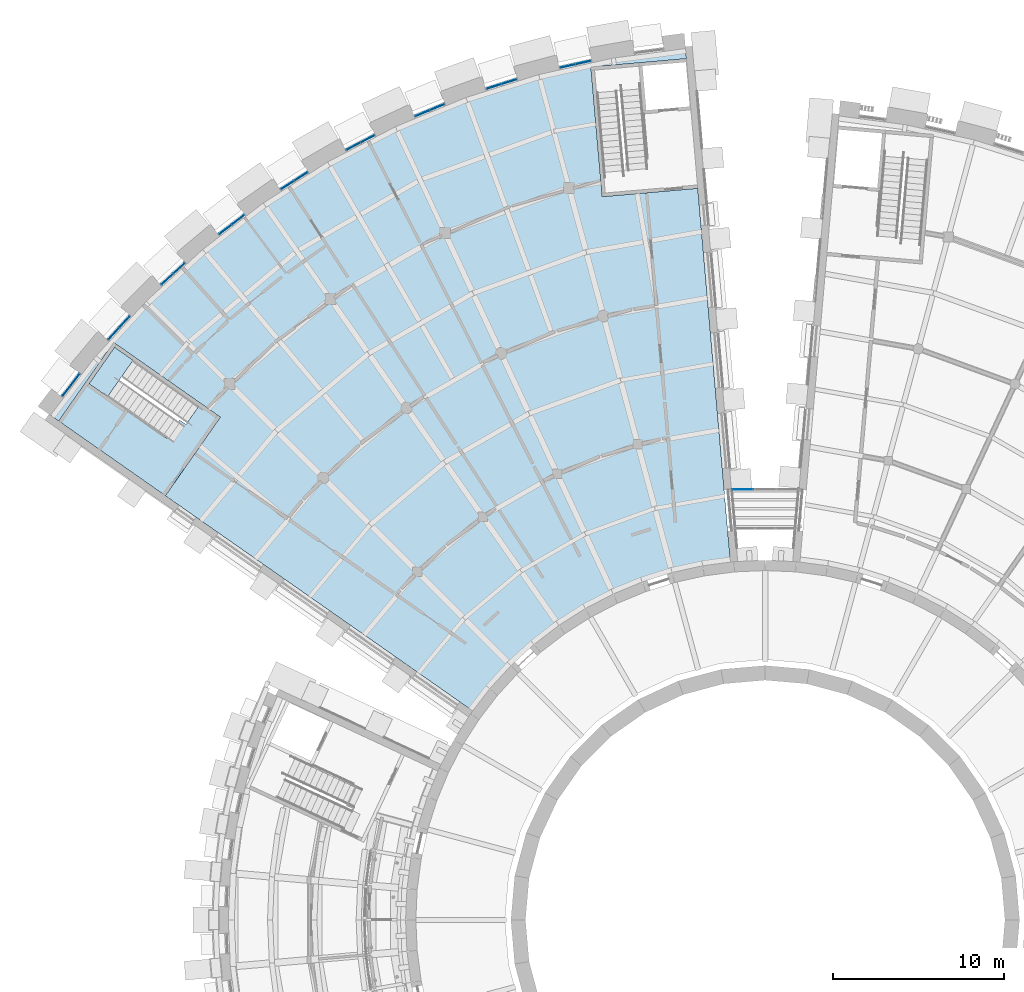
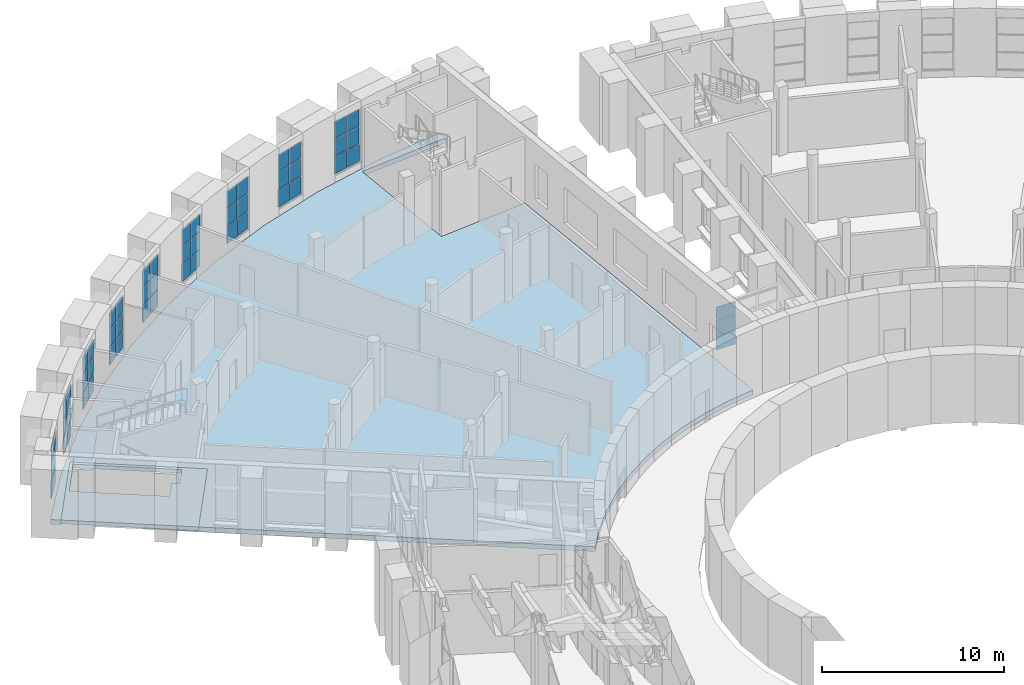
# One storey, part 34 of 66: 54 plates, 3 slabs, 11 elements without a shape of their own.
"""IFC4 building model written with IfcOpenShell, lengths in metres."""

from ifc_helpers import new_model, si_unit, direction, frame, origin, origin_2d, place, context, subcontext, project, spatial, polyline, rectangle, outline, extrude, material, layer, layer_set, type_object, element, aggregate, save


model = new_model("IFC4")

# Units and contexts
model_context = context("Model", 3, precision=1e-05, world=origin(), true_north=direction((0.0, 1.0)))
body_context = subcontext(model_context, "Body", "Model", "MODEL_VIEW")
ifc_project = project(units=[si_unit("LENGTHUNIT", "METRE"), si_unit("AREAUNIT", "SQUARE_METRE"), si_unit("VOLUMEUNIT", "CUBIC_METRE"), si_unit("PLANEANGLEUNIT", "RADIAN"), si_unit("MASSUNIT", "GRAM", prefix="KILO")], contexts=[model_context])

# Site, building, storey
site_placement = place(None, origin())
site = spatial("IfcSite", under=ifc_project, at=site_placement, CompositionType="ELEMENT")
building_placement = place(site_placement, origin())
building = spatial("IfcBuilding", under=site, at=building_placement, Name="Volute Hill Aquarium", CompositionType="ELEMENT")
storey_placement = place(building_placement, frame((0.0, 0.0, 4.60009765625)))
storey = spatial("IfcBuildingStorey", under=building, at=storey_placement, Name="L02", CompositionType="ELEMENT", Elevation=4.60009765625)

# Curtain wall, plates
ifc_material_1 = material(Name="Aluminium and glass", Category="aluminium")
ifc_layer_1 = layer(ifc_material_1, 0.1201171875)
ifc_layer_set_1 = layer_set([ifc_layer_1], Name="Bridge curtain wall")
curtain_wall_type_1 = type_object("IfcCurtainWallType", Name="Bridge curtain wall", PredefinedType="NOTDEFINED", material=ifc_layer_set_1)
curtain_wall_1_placement = place(storey_placement, origin())
curtain_wall_1 = element("IfcCurtainWall", 1, at=curtain_wall_1_placement, inside=storey, type_object=curtain_wall_type_1, Name="br/SC6/L02/cwb", PredefinedType="NOTDEFINED")
ifc_material_2 = material(Name="Laminated glass", Category="glass")
ifc_layer_2 = layer(ifc_material_2, 0.028076171875)
ifc_layer_set_2 = layer_set([ifc_layer_2], Name="Bridge glass panel 28")
plate_type_1 = type_object("IfcPlateType", Name="Bridge glass panel 28", PredefinedType="CURTAIN_PANEL", material=ifc_layer_set_2)
plate_1_placement = place(storey_placement, frame((-1.3173828125, 25.139892578125, 0.06005859375), z_axis=(0.0, 0.0, 1.0), x_axis=(-1.0, 0.0, 0.0)))
plate_1 = element("IfcPlate", 2, at=plate_1_placement, type_object=plate_type_1, Name="BR5 panel 3.1", PredefinedType="CURTAIN_PANEL", context=body_context, shape_type="SweptSolid", body=[
    extrude(rectangle(XDim=1.242431640625, YDim=0.028076171875, at=origin_2d()), origin(), (0.0, 0.0, 1.0), 0.909912109375),
])
plate_2_placement = place(storey_placement, frame((-1.3173828125, 25.139892578125, 1.02978515625), z_axis=(0.0, 0.0, 1.0), x_axis=(-1.0, 0.0, 0.0)))
plate_2 = element("IfcPlate", 3, at=plate_2_placement, type_object=plate_type_1, Name="BR5 panel 3.2", PredefinedType="CURTAIN_PANEL", context=body_context, shape_type="SweptSolid", body=[
    extrude(rectangle(XDim=1.242431640625, YDim=0.028076171875, at=origin_2d()), origin(), (0.0, 0.0, 1.0), 1.0400390625),
])
plate_3_placement = place(storey_placement, frame((-1.3173828125, 25.139892578125, 2.1298828125), z_axis=(0.0, 0.0, 1.0), x_axis=(-1.0, 0.0, 0.0)))
plate_3 = element("IfcPlate", 4, at=plate_3_placement, type_object=plate_type_1, Name="BR5 panel 3.3", PredefinedType="CURTAIN_PANEL", context=body_context, shape_type="SweptSolid", body=[
    extrude(rectangle(XDim=1.242431640625, YDim=0.028076171875, at=origin_2d()), origin(), (0.0, 0.0, 1.0), 0.81005859375),
])
aggregate(curtain_wall_1, [plate_1, plate_2, plate_3])

# Slab
ifc_material_3 = material(Name="Concrete C30/37", Category="concrete")
ifc_layer_3 = layer(ifc_material_3, 0.25)
ifc_layer_set_3 = layer_set([ifc_layer_3], Name="Core floor slab 250")
slab_type_1 = type_object("IfcSlabType", Name="Core floor slab 250", PredefinedType="FLOOR", material=ifc_layer_set_3)
slab_1_placement = place(storey_placement, frame((0.0, 0.0, -0.25)))
element("IfcSlab", 5, at=slab_1_placement, inside=storey, type_object=slab_type_1, Name="cs/S6-B/L02", PredefinedType="FLOOR", context=body_context, shape_type="SweptSolid", body=[
    extrude(outline(polyline([(-31.81494140625, 29.357421875), (-38.040283203125, 33.716796875), (-41.25244140625, 29.12939453125), (-35.02685546875, 24.770263671875), (-31.81494140625, 29.357421875)]), holes=[polyline([(-34.936279296875, 28.125), (-39.482666015625, 31.308349609375), (-37.9912109375, 33.43798828125), (-33.077880859375, 29.997802734375), (-33.82373046875, 28.932861328125), (-34.190673828125, 29.18994140625), (-34.936279296875, 28.125)])]), origin(), (0.0, 0.0, 1.0), 0.25),
])

# Curtain wall, plates
ifc_material_4 = material(Name="Aluminium", Category="aluminium")
ifc_layer_4 = layer(ifc_material_4, 0.25)
ifc_layer_set_4 = layer_set([ifc_layer_4], Name="Curtain wall niche S6 module 967")
curtain_wall_type_2 = type_object("IfcCurtainWallType", Name="Curtain wall niche S6 module 967", PredefinedType="NOTDEFINED", material=ifc_layer_set_4)
curtain_wall_2_placement = place(storey_placement, origin())
curtain_wall_2 = element("IfcCurtainWall", 6, at=curtain_wall_2_placement, inside=storey, type_object=curtain_wall_type_2, Name="Curtain wall CW S6 L02 2", PredefinedType="NOTDEFINED")
ifc_material_5 = material(Name="Glass, low-iron laminated", Category="glass")
ifc_layer_5 = layer(ifc_material_5, 0.031982421875)
ifc_layer_set_5 = layer_set([ifc_layer_5], Name="Curtain wall glass panel S6 32")
plate_type_2 = type_object("IfcPlateType", Name="Curtain wall glass panel S6 32", PredefinedType="CURTAIN_PANEL", material=ifc_layer_set_5)
plate_4_placement = place(storey_placement, frame((-10.61669921875, 50.064697265625, 1.675048828125), z_axis=(0.0, 0.0, 1.0), x_axis=(-0.976298264105, -0.216429433084, 0.0)))
plate_4 = element("IfcPlate", 7, at=plate_4_placement, type_object=plate_type_2, Name="CW panel 1.2", PredefinedType="CURTAIN_PANEL", context=body_context, shape_type="SweptSolid", body=[
    extrude(rectangle(XDim=0.891845703125, YDim=0.031982421875, at=origin_2d()), origin(), (0.0, 0.0, 1.0), 1.14990234375),
])
plate_5_placement = place(storey_placement, frame((-10.61669921875, 50.064697265625, 2.875), z_axis=(0.0, 0.0, 1.0), x_axis=(-0.976298264105, -0.216429433084, 0.0)))
plate_5 = element("IfcPlate", 8, at=plate_5_placement, type_object=plate_type_2, Name="CW panel 1.3", PredefinedType="CURTAIN_PANEL", context=body_context, shape_type="SweptSolid", body=[
    extrude(rectangle(XDim=0.891845703125, YDim=0.031982421875, at=origin_2d()), origin(), (0.0, 0.0, 1.0), 1.125),
])
plate_6_placement = place(storey_placement, frame((-11.536376953125, 49.86083984375, 1.675048828125), z_axis=(0.0, 0.0, 1.0), x_axis=(-0.976298264105, -0.216429433084, 0.0)))
plate_6 = element("IfcPlate", 9, at=plate_6_placement, type_object=plate_type_2, Name="CW panel 2.2", PredefinedType="CURTAIN_PANEL", context=body_context, shape_type="SweptSolid", body=[
    extrude(rectangle(XDim=0.891845703125, YDim=0.031982421875, at=origin_2d()), origin(), (0.0, 0.0, 1.0), 1.14990234375),
])
plate_7_placement = place(storey_placement, frame((-11.536376953125, 49.86083984375, 2.875), z_axis=(0.0, 0.0, 1.0), x_axis=(-0.976298264105, -0.216429433084, 0.0)))
plate_7 = element("IfcPlate", 10, at=plate_7_placement, type_object=plate_type_2, Name="CW panel 2.3", PredefinedType="CURTAIN_PANEL", context=body_context, shape_type="SweptSolid", body=[
    extrude(rectangle(XDim=0.891845703125, YDim=0.031982421875, at=origin_2d()), origin(), (0.0, 0.0, 1.0), 1.125),
])

curtain_wall_3_placement = place(storey_placement, origin())
curtain_wall_3 = element("IfcCurtainWall", 11, at=curtain_wall_3_placement, inside=storey, type_object=curtain_wall_type_2, Name="Curtain wall CW S6 L02 3", PredefinedType="NOTDEFINED")
plate_8_placement = place(storey_placement, frame((-14.939697265625, 48.948974609375, 1.675048828125), z_axis=(0.0, 0.0, 1.0), x_axis=(-0.953716759337, -0.300706406582, 0.0)))
plate_8 = element("IfcPlate", 12, at=plate_8_placement, type_object=plate_type_2, Name="CW panel 1.2", PredefinedType="CURTAIN_PANEL", context=body_context, shape_type="SweptSolid", body=[
    extrude(rectangle(XDim=0.891845703125, YDim=0.031982421875, at=origin_2d()), origin(), (0.0, 0.0, 1.0), 1.14990234375),
])
plate_9_placement = place(storey_placement, frame((-14.939697265625, 48.948974609375, 2.875), z_axis=(0.0, 0.0, 1.0), x_axis=(-0.953716759337, -0.300706406582, 0.0)))
plate_9 = element("IfcPlate", 13, at=plate_9_placement, type_object=plate_type_2, Name="CW panel 1.3", PredefinedType="CURTAIN_PANEL", context=body_context, shape_type="SweptSolid", body=[
    extrude(rectangle(XDim=0.891845703125, YDim=0.031982421875, at=origin_2d()), origin(), (0.0, 0.0, 1.0), 1.125),
])
plate_10_placement = place(storey_placement, frame((-15.838134765625, 48.665771484375, 1.675048828125), z_axis=(0.0, 0.0, 1.0), x_axis=(-0.953716759337, -0.300706406582, 0.0)))
plate_10 = element("IfcPlate", 14, at=plate_10_placement, type_object=plate_type_2, Name="CW panel 2.2", PredefinedType="CURTAIN_PANEL", context=body_context, shape_type="SweptSolid", body=[
    extrude(rectangle(XDim=0.891845703125, YDim=0.031982421875, at=origin_2d()), origin(), (0.0, 0.0, 1.0), 1.14990234375),
])
plate_11_placement = place(storey_placement, frame((-15.838134765625, 48.665771484375, 2.875), z_axis=(0.0, 0.0, 1.0), x_axis=(-0.953716759337, -0.300706406582, 0.0)))
plate_11 = element("IfcPlate", 15, at=plate_11_placement, type_object=plate_type_2, Name="CW panel 2.3", PredefinedType="CURTAIN_PANEL", context=body_context, shape_type="SweptSolid", body=[
    extrude(rectangle(XDim=0.891845703125, YDim=0.031982421875, at=origin_2d()), origin(), (0.0, 0.0, 1.0), 1.125),
])

curtain_wall_4_placement = place(storey_placement, origin())
curtain_wall_4 = element("IfcCurtainWall", 16, at=curtain_wall_4_placement, inside=storey, type_object=curtain_wall_type_2, Name="Curtain wall CW S6 L02 4", PredefinedType="NOTDEFINED")
plate_12_placement = place(storey_placement, frame((-19.149169921875, 47.460693359375, 1.675048828125), z_axis=(0.0, 0.0, 1.0), x_axis=(-0.923881012069, -0.382679860378, 0.0)))
plate_12 = element("IfcPlate", 17, at=plate_12_placement, type_object=plate_type_2, Name="CW panel 1.2", PredefinedType="CURTAIN_PANEL", context=body_context, shape_type="SweptSolid", body=[
    extrude(rectangle(XDim=0.891845703125, YDim=0.031982421875, at=origin_2d()), origin(), (0.0, 0.0, 1.0), 1.14990234375),
])
plate_13_placement = place(storey_placement, frame((-19.149169921875, 47.460693359375, 2.875), z_axis=(0.0, 0.0, 1.0), x_axis=(-0.923881012069, -0.382679860378, 0.0)))
plate_13 = element("IfcPlate", 18, at=plate_13_placement, type_object=plate_type_2, Name="CW panel 1.3", PredefinedType="CURTAIN_PANEL", context=body_context, shape_type="SweptSolid", body=[
    extrude(rectangle(XDim=0.891845703125, YDim=0.031982421875, at=origin_2d()), origin(), (0.0, 0.0, 1.0), 1.125),
])
plate_14_placement = place(storey_placement, frame((-20.019287109375, 47.10009765625, 1.675048828125), z_axis=(0.0, 0.0, 1.0), x_axis=(-0.923881012069, -0.382679860378, 0.0)))
plate_14 = element("IfcPlate", 19, at=plate_14_placement, type_object=plate_type_2, Name="CW panel 2.2", PredefinedType="CURTAIN_PANEL", context=body_context, shape_type="SweptSolid", body=[
    extrude(rectangle(XDim=0.891845703125, YDim=0.031982421875, at=origin_2d()), origin(), (0.0, 0.0, 1.0), 1.14990234375),
])
plate_15_placement = place(storey_placement, frame((-20.019287109375, 47.10009765625, 2.875), z_axis=(0.0, 0.0, 1.0), x_axis=(-0.923881012069, -0.382679860378, 0.0)))
plate_15 = element("IfcPlate", 20, at=plate_15_placement, type_object=plate_type_2, Name="CW panel 2.3", PredefinedType="CURTAIN_PANEL", context=body_context, shape_type="SweptSolid", body=[
    extrude(rectangle(XDim=0.891845703125, YDim=0.031982421875, at=origin_2d()), origin(), (0.0, 0.0, 1.0), 1.125),
])

curtain_wall_5_placement = place(storey_placement, origin())
curtain_wall_5 = element("IfcCurtainWall", 21, at=curtain_wall_5_placement, inside=storey, type_object=curtain_wall_type_2, Name="Curtain wall CW S6 L02 5", PredefinedType="NOTDEFINED")
plate_16_placement = place(storey_placement, frame((-23.212646484375, 45.611083984375, 1.675048828125), z_axis=(0.0, 0.0, 1.0), x_axis=(-0.88700512397, -0.461759580356, 0.0)))
plate_16 = element("IfcPlate", 22, at=plate_16_placement, type_object=plate_type_2, Name="CW panel 1.2", PredefinedType="CURTAIN_PANEL", context=body_context, shape_type="SweptSolid", body=[
    extrude(rectangle(XDim=0.891845703125, YDim=0.031982421875, at=origin_2d()), origin(), (0.0, 0.0, 1.0), 1.14990234375),
])
plate_17_placement = place(storey_placement, frame((-23.212646484375, 45.611083984375, 2.875), z_axis=(0.0, 0.0, 1.0), x_axis=(-0.88700512397, -0.461759580356, 0.0)))
plate_17 = element("IfcPlate", 23, at=plate_17_placement, type_object=plate_type_2, Name="CW panel 1.3", PredefinedType="CURTAIN_PANEL", context=body_context, shape_type="SweptSolid", body=[
    extrude(rectangle(XDim=0.891845703125, YDim=0.031982421875, at=origin_2d()), origin(), (0.0, 0.0, 1.0), 1.125),
])
plate_18_placement = place(storey_placement, frame((-24.048095703125, 45.17626953125, 1.675048828125), z_axis=(0.0, 0.0, 1.0), x_axis=(-0.88700512397, -0.461759580356, 0.0)))
plate_18 = element("IfcPlate", 24, at=plate_18_placement, type_object=plate_type_2, Name="CW panel 2.2", PredefinedType="CURTAIN_PANEL", context=body_context, shape_type="SweptSolid", body=[
    extrude(rectangle(XDim=0.891845703125, YDim=0.031982421875, at=origin_2d()), origin(), (0.0, 0.0, 1.0), 1.14990234375),
])
plate_19_placement = place(storey_placement, frame((-24.048095703125, 45.17626953125, 2.875), z_axis=(0.0, 0.0, 1.0), x_axis=(-0.88700512397, -0.461759580356, 0.0)))
plate_19 = element("IfcPlate", 25, at=plate_19_placement, type_object=plate_type_2, Name="CW panel 2.3", PredefinedType="CURTAIN_PANEL", context=body_context, shape_type="SweptSolid", body=[
    extrude(rectangle(XDim=0.891845703125, YDim=0.031982421875, at=origin_2d()), origin(), (0.0, 0.0, 1.0), 1.125),
])

curtain_wall_6_placement = place(storey_placement, origin())
curtain_wall_6 = element("IfcCurtainWall", 26, at=curtain_wall_6_placement, inside=storey, type_object=curtain_wall_type_2, Name="Curtain wall CW S6 L02 6", PredefinedType="NOTDEFINED")
plate_20_placement = place(storey_placement, frame((-27.099609375, 43.414306640625, 1.675048828125), z_axis=(0.0, 0.0, 1.0), x_axis=(-0.843394579142, -0.537294689973, 0.0)))
plate_20 = element("IfcPlate", 27, at=plate_20_placement, type_object=plate_type_2, Name="CW panel 1.2", PredefinedType="CURTAIN_PANEL", context=body_context, shape_type="SweptSolid", body=[
    extrude(rectangle(XDim=0.891845703125, YDim=0.031982421875, at=origin_2d()), origin(), (0.0, 0.0, 1.0), 1.14990234375),
])
plate_21_placement = place(storey_placement, frame((-27.099609375, 43.414306640625, 2.875), z_axis=(0.0, 0.0, 1.0), x_axis=(-0.843394579142, -0.537294689973, 0.0)))
plate_21 = element("IfcPlate", 28, at=plate_21_placement, type_object=plate_type_2, Name="CW panel 1.3", PredefinedType="CURTAIN_PANEL", context=body_context, shape_type="SweptSolid", body=[
    extrude(rectangle(XDim=0.891845703125, YDim=0.031982421875, at=origin_2d()), origin(), (0.0, 0.0, 1.0), 1.125),
])
plate_22_placement = place(storey_placement, frame((-27.89404296875, 42.908203125, 1.675048828125), z_axis=(0.0, 0.0, 1.0), x_axis=(-0.843394579142, -0.537294689973, 0.0)))
plate_22 = element("IfcPlate", 29, at=plate_22_placement, type_object=plate_type_2, Name="CW panel 2.2", PredefinedType="CURTAIN_PANEL", context=body_context, shape_type="SweptSolid", body=[
    extrude(rectangle(XDim=0.891845703125, YDim=0.031982421875, at=origin_2d()), origin(), (0.0, 0.0, 1.0), 1.14990234375),
])
plate_23_placement = place(storey_placement, frame((-27.89404296875, 42.908203125, 2.875), z_axis=(0.0, 0.0, 1.0), x_axis=(-0.843394579142, -0.537294689973, 0.0)))
plate_23 = element("IfcPlate", 30, at=plate_23_placement, type_object=plate_type_2, Name="CW panel 2.3", PredefinedType="CURTAIN_PANEL", context=body_context, shape_type="SweptSolid", body=[
    extrude(rectangle(XDim=0.891845703125, YDim=0.031982421875, at=origin_2d()), origin(), (0.0, 0.0, 1.0), 1.125),
])

curtain_wall_7_placement = place(storey_placement, origin())
curtain_wall_7 = element("IfcCurtainWall", 31, at=curtain_wall_7_placement, inside=storey, type_object=curtain_wall_type_2, Name="Curtain wall CW S6 L02 7", PredefinedType="NOTDEFINED")
plate_24_placement = place(storey_placement, frame((-30.7802734375, 40.88720703125, 1.675048828125), z_axis=(0.0, 0.0, 1.0), x_axis=(-0.793347775493, -0.608768681127, 0.0)))
plate_24 = element("IfcPlate", 32, at=plate_24_placement, type_object=plate_type_2, Name="CW panel 1.2", PredefinedType="CURTAIN_PANEL", context=body_context, shape_type="SweptSolid", body=[
    extrude(rectangle(XDim=0.891845703125, YDim=0.031982421875, at=origin_2d()), origin(), (0.0, 0.0, 1.0), 1.14990234375),
])
plate_25_placement = place(storey_placement, frame((-30.7802734375, 40.88720703125, 2.875), z_axis=(0.0, 0.0, 1.0), x_axis=(-0.793347775493, -0.608768681127, 0.0)))
plate_25 = element("IfcPlate", 33, at=plate_25_placement, type_object=plate_type_2, Name="CW panel 1.3", PredefinedType="CURTAIN_PANEL", context=body_context, shape_type="SweptSolid", body=[
    extrude(rectangle(XDim=0.891845703125, YDim=0.031982421875, at=origin_2d()), origin(), (0.0, 0.0, 1.0), 1.125),
])
plate_26_placement = place(storey_placement, frame((-31.527587890625, 40.31396484375, 1.675048828125), z_axis=(0.0, 0.0, 1.0), x_axis=(-0.793347775493, -0.608768681127, 0.0)))
plate_26 = element("IfcPlate", 34, at=plate_26_placement, type_object=plate_type_2, Name="CW panel 2.2", PredefinedType="CURTAIN_PANEL", context=body_context, shape_type="SweptSolid", body=[
    extrude(rectangle(XDim=0.891845703125, YDim=0.031982421875, at=origin_2d()), origin(), (0.0, 0.0, 1.0), 1.14990234375),
])
plate_27_placement = place(storey_placement, frame((-31.527587890625, 40.31396484375, 2.875), z_axis=(0.0, 0.0, 1.0), x_axis=(-0.793347775493, -0.608768681127, 0.0)))
plate_27 = element("IfcPlate", 35, at=plate_27_placement, type_object=plate_type_2, Name="CW panel 2.3", PredefinedType="CURTAIN_PANEL", context=body_context, shape_type="SweptSolid", body=[
    extrude(rectangle(XDim=0.891845703125, YDim=0.031982421875, at=origin_2d()), origin(), (0.0, 0.0, 1.0), 1.125),
])

curtain_wall_8_placement = place(storey_placement, origin())
curtain_wall_8 = element("IfcCurtainWall", 36, at=curtain_wall_8_placement, inside=storey, type_object=curtain_wall_type_2, Name="Curtain wall CW S6 L02 8", PredefinedType="NOTDEFINED")
plate_28_placement = place(storey_placement, frame((-34.226806640625, 38.049072265625, 1.675048828125), z_axis=(0.0, 0.0, 1.0), x_axis=(-0.737284850624, -0.675582007635, 0.0)))
plate_28 = element("IfcPlate", 37, at=plate_28_placement, type_object=plate_type_2, Name="CW panel 1.2", PredefinedType="CURTAIN_PANEL", context=body_context, shape_type="SweptSolid", body=[
    extrude(rectangle(XDim=0.891845703125, YDim=0.031982421875, at=origin_2d()), origin(), (0.0, 0.0, 1.0), 1.14990234375),
])
plate_29_placement = place(storey_placement, frame((-34.226806640625, 38.049072265625, 2.875), z_axis=(0.0, 0.0, 1.0), x_axis=(-0.737284850624, -0.675582007635, 0.0)))
plate_29 = element("IfcPlate", 38, at=plate_29_placement, type_object=plate_type_2, Name="CW panel 1.3", PredefinedType="CURTAIN_PANEL", context=body_context, shape_type="SweptSolid", body=[
    extrude(rectangle(XDim=0.891845703125, YDim=0.031982421875, at=origin_2d()), origin(), (0.0, 0.0, 1.0), 1.125),
])
plate_30_placement = place(storey_placement, frame((-34.921142578125, 37.412841796875, 1.675048828125), z_axis=(0.0, 0.0, 1.0), x_axis=(-0.737284850624, -0.675582007635, 0.0)))
plate_30 = element("IfcPlate", 39, at=plate_30_placement, type_object=plate_type_2, Name="CW panel 2.2", PredefinedType="CURTAIN_PANEL", context=body_context, shape_type="SweptSolid", body=[
    extrude(rectangle(XDim=0.891845703125, YDim=0.031982421875, at=origin_2d()), origin(), (0.0, 0.0, 1.0), 1.14990234375),
])
plate_31_placement = place(storey_placement, frame((-34.921142578125, 37.412841796875, 2.875), z_axis=(0.0, 0.0, 1.0), x_axis=(-0.737284850624, -0.675582007635, 0.0)))
plate_31 = element("IfcPlate", 40, at=plate_31_placement, type_object=plate_type_2, Name="CW panel 2.3", PredefinedType="CURTAIN_PANEL", context=body_context, shape_type="SweptSolid", body=[
    extrude(rectangle(XDim=0.891845703125, YDim=0.031982421875, at=origin_2d()), origin(), (0.0, 0.0, 1.0), 1.125),
])

curtain_wall_9_placement = place(storey_placement, origin())
curtain_wall_9 = element("IfcCurtainWall", 41, at=curtain_wall_9_placement, inside=storey, type_object=curtain_wall_type_2, Name="Curtain wall CW S6 L02 9", PredefinedType="NOTDEFINED")
plate_32_placement = place(storey_placement, frame((-37.412841796875, 34.921142578125, 1.675048828125), z_axis=(0.0, 0.0, 1.0), x_axis=(-0.675582007635, -0.737284850624, 0.0)))
plate_32 = element("IfcPlate", 42, at=plate_32_placement, type_object=plate_type_2, Name="CW panel 1.2", PredefinedType="CURTAIN_PANEL", context=body_context, shape_type="SweptSolid", body=[
    extrude(rectangle(XDim=0.891845703125, YDim=0.031982421875, at=origin_2d()), origin(), (0.0, 0.0, 1.0), 1.14990234375),
])
plate_33_placement = place(storey_placement, frame((-37.412841796875, 34.921142578125, 2.875), z_axis=(0.0, 0.0, 1.0), x_axis=(-0.675582007635, -0.737284850624, 0.0)))
plate_33 = element("IfcPlate", 43, at=plate_33_placement, type_object=plate_type_2, Name="CW panel 1.3", PredefinedType="CURTAIN_PANEL", context=body_context, shape_type="SweptSolid", body=[
    extrude(rectangle(XDim=0.891845703125, YDim=0.031982421875, at=origin_2d()), origin(), (0.0, 0.0, 1.0), 1.125),
])
plate_34_placement = place(storey_placement, frame((-38.049072265625, 34.226806640625, 1.675048828125), z_axis=(0.0, 0.0, 1.0), x_axis=(-0.675582007635, -0.737284850624, 0.0)))
plate_34 = element("IfcPlate", 44, at=plate_34_placement, type_object=plate_type_2, Name="CW panel 2.2", PredefinedType="CURTAIN_PANEL", context=body_context, shape_type="SweptSolid", body=[
    extrude(rectangle(XDim=0.891845703125, YDim=0.031982421875, at=origin_2d()), origin(), (0.0, 0.0, 1.0), 1.14990234375),
])
plate_35_placement = place(storey_placement, frame((-38.049072265625, 34.226806640625, 2.875), z_axis=(0.0, 0.0, 1.0), x_axis=(-0.675582007635, -0.737284850624, 0.0)))
plate_35 = element("IfcPlate", 45, at=plate_35_placement, type_object=plate_type_2, Name="CW panel 2.3", PredefinedType="CURTAIN_PANEL", context=body_context, shape_type="SweptSolid", body=[
    extrude(rectangle(XDim=0.891845703125, YDim=0.031982421875, at=origin_2d()), origin(), (0.0, 0.0, 1.0), 1.125),
])

ifc_material_6 = material(Name="Aluminium", Category="aluminium")
ifc_layer_6 = layer(ifc_material_6, 0.25)
ifc_layer_set_6 = layer_set([ifc_layer_6], Name="Curtain wall niche S6 module 1734")
curtain_wall_type_3 = type_object("IfcCurtainWallType", Name="Curtain wall niche S6 module 1734", PredefinedType="NOTDEFINED", material=ifc_layer_set_6)
curtain_wall_10_placement = place(storey_placement, origin())
curtain_wall_10 = element("IfcCurtainWall", 46, at=curtain_wall_10_placement, inside=storey, type_object=curtain_wall_type_3, Name="Curtain wall CW S6 L02 10", PredefinedType="NOTDEFINED")
plate_36_placement = place(storey_placement, frame((-40.539794921875, 31.2333984375, 1.675048828125), z_axis=(0.0, 0.0, 1.0), x_axis=(-0.608766945394, -0.79334910739, 0.0)))
plate_36 = element("IfcPlate", 47, at=plate_36_placement, type_object=plate_type_2, Name="CW panel 1.2", PredefinedType="CURTAIN_PANEL", context=body_context, shape_type="SweptSolid", body=[
    extrude(rectangle(XDim=1.633544921875, YDim=0.031982421875, at=origin_2d()), origin(), (0.0, 0.0, 1.0), 1.14990234375),
])
plate_37_placement = place(storey_placement, frame((-40.539794921875, 31.2333984375, 2.875), z_axis=(0.0, 0.0, 1.0), x_axis=(-0.608766945394, -0.79334910739, 0.0)))
plate_37 = element("IfcPlate", 48, at=plate_37_placement, type_object=plate_type_2, Name="CW panel 1.3", PredefinedType="CURTAIN_PANEL", context=body_context, shape_type="SweptSolid", body=[
    extrude(rectangle(XDim=1.633544921875, YDim=0.031982421875, at=origin_2d()), origin(), (0.0, 0.0, 1.0), 1.125),
])

# Plate
ifc_material_7 = material(Name="Aluminium", Category="aluminium")
ifc_layer_7 = layer(ifc_material_7, 0.06005859375)
ifc_layer_set_7 = layer_set([ifc_layer_7], Name="Curtain wall insulated spandrel panel 60")
plate_type_3 = type_object("IfcPlateType", Name="Curtain wall insulated spandrel panel 60", PredefinedType="CURTAIN_PANEL", material=ifc_layer_set_7)
plate_38_placement = place(storey_placement, frame((-10.61669921875, 50.064697265625, 0.5), z_axis=(0.0, 0.0, 1.0), x_axis=(-0.976298264105, -0.216429433084, 0.0)))
plate_38 = element("IfcPlate", 49, at=plate_38_placement, type_object=plate_type_3, Name="CW panel 1.1", PredefinedType="CURTAIN_PANEL", context=body_context, shape_type="SweptSolid", body=[
    extrude(rectangle(XDim=0.891845703125, YDim=0.06005859375, at=origin_2d()), origin(), (0.0, 0.0, 1.0), 1.125),
])

plate_39_placement = place(storey_placement, frame((-11.536376953125, 49.86083984375, 0.5), z_axis=(0.0, 0.0, 1.0), x_axis=(-0.976298264105, -0.216429433084, 0.0)))
plate_39 = element("IfcPlate", 50, at=plate_39_placement, type_object=plate_type_3, Name="CW panel 2.1", PredefinedType="CURTAIN_PANEL", context=body_context, shape_type="SweptSolid", body=[
    extrude(rectangle(XDim=0.891845703125, YDim=0.06005859375, at=origin_2d()), origin(), (0.0, 0.0, 1.0), 1.125),
])

aggregate(curtain_wall_2, [plate_38, plate_4, plate_5, plate_39, plate_6, plate_7])

plate_40_placement = place(storey_placement, frame((-14.939697265625, 48.948974609375, 0.5), z_axis=(0.0, 0.0, 1.0), x_axis=(-0.953716759337, -0.300706406582, 0.0)))
plate_40 = element("IfcPlate", 51, at=plate_40_placement, type_object=plate_type_3, Name="CW panel 1.1", PredefinedType="CURTAIN_PANEL", context=body_context, shape_type="SweptSolid", body=[
    extrude(rectangle(XDim=0.891845703125, YDim=0.06005859375, at=origin_2d()), origin(), (0.0, 0.0, 1.0), 1.125),
])

plate_41_placement = place(storey_placement, frame((-15.838134765625, 48.665771484375, 0.5), z_axis=(0.0, 0.0, 1.0), x_axis=(-0.953716759337, -0.300706406582, 0.0)))
plate_41 = element("IfcPlate", 52, at=plate_41_placement, type_object=plate_type_3, Name="CW panel 2.1", PredefinedType="CURTAIN_PANEL", context=body_context, shape_type="SweptSolid", body=[
    extrude(rectangle(XDim=0.891845703125, YDim=0.06005859375, at=origin_2d()), origin(), (0.0, 0.0, 1.0), 1.125),
])

aggregate(curtain_wall_3, [plate_40, plate_8, plate_9, plate_41, plate_10, plate_11])

plate_42_placement = place(storey_placement, frame((-19.149169921875, 47.460693359375, 0.5), z_axis=(0.0, 0.0, 1.0), x_axis=(-0.923881012069, -0.382679860378, 0.0)))
plate_42 = element("IfcPlate", 53, at=plate_42_placement, type_object=plate_type_3, Name="CW panel 1.1", PredefinedType="CURTAIN_PANEL", context=body_context, shape_type="SweptSolid", body=[
    extrude(rectangle(XDim=0.891845703125, YDim=0.06005859375, at=origin_2d()), origin(), (0.0, 0.0, 1.0), 1.125),
])

plate_43_placement = place(storey_placement, frame((-20.019287109375, 47.10009765625, 0.5), z_axis=(0.0, 0.0, 1.0), x_axis=(-0.923881012069, -0.382679860378, 0.0)))
plate_43 = element("IfcPlate", 54, at=plate_43_placement, type_object=plate_type_3, Name="CW panel 2.1", PredefinedType="CURTAIN_PANEL", context=body_context, shape_type="SweptSolid", body=[
    extrude(rectangle(XDim=0.891845703125, YDim=0.06005859375, at=origin_2d()), origin(), (0.0, 0.0, 1.0), 1.125),
])

aggregate(curtain_wall_4, [plate_42, plate_12, plate_13, plate_43, plate_14, plate_15])

plate_44_placement = place(storey_placement, frame((-23.212646484375, 45.611083984375, 0.5), z_axis=(0.0, 0.0, 1.0), x_axis=(-0.88700512397, -0.461759580356, 0.0)))
plate_44 = element("IfcPlate", 55, at=plate_44_placement, type_object=plate_type_3, Name="CW panel 1.1", PredefinedType="CURTAIN_PANEL", context=body_context, shape_type="SweptSolid", body=[
    extrude(rectangle(XDim=0.891845703125, YDim=0.06005859375, at=origin_2d()), origin(), (0.0, 0.0, 1.0), 1.125),
])

plate_45_placement = place(storey_placement, frame((-24.048095703125, 45.17626953125, 0.5), z_axis=(0.0, 0.0, 1.0), x_axis=(-0.88700512397, -0.461759580356, 0.0)))
plate_45 = element("IfcPlate", 56, at=plate_45_placement, type_object=plate_type_3, Name="CW panel 2.1", PredefinedType="CURTAIN_PANEL", context=body_context, shape_type="SweptSolid", body=[
    extrude(rectangle(XDim=0.891845703125, YDim=0.06005859375, at=origin_2d()), origin(), (0.0, 0.0, 1.0), 1.125),
])

aggregate(curtain_wall_5, [plate_44, plate_16, plate_17, plate_45, plate_18, plate_19])

plate_46_placement = place(storey_placement, frame((-27.099609375, 43.414306640625, 0.5), z_axis=(0.0, 0.0, 1.0), x_axis=(-0.843394579142, -0.537294689973, 0.0)))
plate_46 = element("IfcPlate", 57, at=plate_46_placement, type_object=plate_type_3, Name="CW panel 1.1", PredefinedType="CURTAIN_PANEL", context=body_context, shape_type="SweptSolid", body=[
    extrude(rectangle(XDim=0.891845703125, YDim=0.06005859375, at=origin_2d()), origin(), (0.0, 0.0, 1.0), 1.125),
])

plate_47_placement = place(storey_placement, frame((-27.89404296875, 42.908203125, 0.5), z_axis=(0.0, 0.0, 1.0), x_axis=(-0.843394579142, -0.537294689973, 0.0)))
plate_47 = element("IfcPlate", 58, at=plate_47_placement, type_object=plate_type_3, Name="CW panel 2.1", PredefinedType="CURTAIN_PANEL", context=body_context, shape_type="SweptSolid", body=[
    extrude(rectangle(XDim=0.891845703125, YDim=0.06005859375, at=origin_2d()), origin(), (0.0, 0.0, 1.0), 1.125),
])

aggregate(curtain_wall_6, [plate_46, plate_20, plate_21, plate_47, plate_22, plate_23])

plate_48_placement = place(storey_placement, frame((-30.7802734375, 40.88720703125, 0.5), z_axis=(0.0, 0.0, 1.0), x_axis=(-0.793347775493, -0.608768681127, 0.0)))
plate_48 = element("IfcPlate", 59, at=plate_48_placement, type_object=plate_type_3, Name="CW panel 1.1", PredefinedType="CURTAIN_PANEL", context=body_context, shape_type="SweptSolid", body=[
    extrude(rectangle(XDim=0.891845703125, YDim=0.06005859375, at=origin_2d()), origin(), (0.0, 0.0, 1.0), 1.125),
])

plate_49_placement = place(storey_placement, frame((-31.527587890625, 40.31396484375, 0.5), z_axis=(0.0, 0.0, 1.0), x_axis=(-0.793347775493, -0.608768681127, 0.0)))
plate_49 = element("IfcPlate", 60, at=plate_49_placement, type_object=plate_type_3, Name="CW panel 2.1", PredefinedType="CURTAIN_PANEL", context=body_context, shape_type="SweptSolid", body=[
    extrude(rectangle(XDim=0.891845703125, YDim=0.06005859375, at=origin_2d()), origin(), (0.0, 0.0, 1.0), 1.125),
])

aggregate(curtain_wall_7, [plate_48, plate_24, plate_25, plate_49, plate_26, plate_27])

plate_50_placement = place(storey_placement, frame((-34.226806640625, 38.049072265625, 0.5), z_axis=(0.0, 0.0, 1.0), x_axis=(-0.737284850624, -0.675582007635, 0.0)))
plate_50 = element("IfcPlate", 61, at=plate_50_placement, type_object=plate_type_3, Name="CW panel 1.1", PredefinedType="CURTAIN_PANEL", context=body_context, shape_type="SweptSolid", body=[
    extrude(rectangle(XDim=0.891845703125, YDim=0.06005859375, at=origin_2d()), origin(), (0.0, 0.0, 1.0), 1.125),
])

plate_51_placement = place(storey_placement, frame((-34.921142578125, 37.412841796875, 0.5), z_axis=(0.0, 0.0, 1.0), x_axis=(-0.737284850624, -0.675582007635, 0.0)))
plate_51 = element("IfcPlate", 62, at=plate_51_placement, type_object=plate_type_3, Name="CW panel 2.1", PredefinedType="CURTAIN_PANEL", context=body_context, shape_type="SweptSolid", body=[
    extrude(rectangle(XDim=0.891845703125, YDim=0.06005859375, at=origin_2d()), origin(), (0.0, 0.0, 1.0), 1.125),
])

aggregate(curtain_wall_8, [plate_50, plate_28, plate_29, plate_51, plate_30, plate_31])

plate_52_placement = place(storey_placement, frame((-37.412841796875, 34.921142578125, 0.5), z_axis=(0.0, 0.0, 1.0), x_axis=(-0.675582007635, -0.737284850624, 0.0)))
plate_52 = element("IfcPlate", 63, at=plate_52_placement, type_object=plate_type_3, Name="CW panel 1.1", PredefinedType="CURTAIN_PANEL", context=body_context, shape_type="SweptSolid", body=[
    extrude(rectangle(XDim=0.891845703125, YDim=0.06005859375, at=origin_2d()), origin(), (0.0, 0.0, 1.0), 1.125),
])

plate_53_placement = place(storey_placement, frame((-38.049072265625, 34.226806640625, 0.5), z_axis=(0.0, 0.0, 1.0), x_axis=(-0.675582007635, -0.737284850624, 0.0)))
plate_53 = element("IfcPlate", 64, at=plate_53_placement, type_object=plate_type_3, Name="CW panel 2.1", PredefinedType="CURTAIN_PANEL", context=body_context, shape_type="SweptSolid", body=[
    extrude(rectangle(XDim=0.891845703125, YDim=0.06005859375, at=origin_2d()), origin(), (0.0, 0.0, 1.0), 1.125),
])

aggregate(curtain_wall_9, [plate_52, plate_32, plate_33, plate_53, plate_34, plate_35])

plate_54_placement = place(storey_placement, frame((-40.539794921875, 31.2333984375, 0.5), z_axis=(0.0, 0.0, 1.0), x_axis=(-0.608766945394, -0.79334910739, 0.0)))
plate_54 = element("IfcPlate", 65, at=plate_54_placement, type_object=plate_type_3, Name="CW panel 1.1", PredefinedType="CURTAIN_PANEL", context=body_context, shape_type="SweptSolid", body=[
    extrude(rectangle(XDim=1.633544921875, YDim=0.06005859375, at=origin_2d()), origin(), (0.0, 0.0, 1.0), 1.125),
])

aggregate(curtain_wall_10, [plate_54, plate_36, plate_37])

# Slab
ifc_material_8 = material(Name="Concrete C35/45", Category="concrete")
ifc_layer_8 = layer(ifc_material_8, 0.320068359375)
ifc_layer_set_8 = layer_set([ifc_layer_8], Name="Floor slab 320 C35/45")
slab_type_2 = type_object("IfcSlabType", Name="Floor slab 320 C35/45", PredefinedType="FLOOR", material=ifc_layer_set_8)
slab_2_placement = place(storey_placement, frame((0.0, 0.0, -0.320068359375)))
element("IfcSlab", 66, at=slab_2_placement, inside=storey, type_object=slab_type_2, Name="fl/S6/L02/1", PredefinedType="FLOOR", context=body_context, shape_type="SweptSolid", body=[
    extrude(outline(polyline([(-39.14501953125, 32.846435546875), (-36.13330078125, 36.13330078125), (-32.846435546875, 39.14501953125), (-29.309814453125, 41.858642578125), (-25.550048828125, 44.25390625), (-21.595703125, 46.312255859375), (-17.477294921875, 48.018310546875), (-13.2255859375, 49.35888671875), (-8.873291015625, 50.32373046875), (-4.652099609375, 50.87939453125), (-4.6005859375, 50.290283203125), (-10.17919921875, 49.80224609375), (-9.516845703125, 42.231201171875), (-3.938232421875, 42.71923828125), (-2.02880859375, 20.89404296875), (-3.646484375, 20.680908203125), (-5.435302734375, 20.284423828125), (-7.182373046875, 19.7333984375), (-8.875, 19.032470703125), (-10.5, 18.1865234375), (-12.045166015625, 17.2021484375), (-13.49853515625, 16.0869140625), (-14.84912109375, 14.84912109375), (-16.0869140625, 13.49853515625), (-17.080322265625, 12.203857421875), (-37.56396484375, 26.546630859375), (-35.02685546875, 24.770263671875), (-31.81494140625, 29.357421875), (-38.040283203125, 33.716796875), (-41.25244140625, 29.12939453125), (-41.73681640625, 29.468505859375), (-39.14501953125, 32.846435546875)])), origin(), (0.0, 0.0, 1.0), 0.320068359375),
])

# Stair, slab
ifc_material_9 = material(Name="Concrete C35/45", Category="concrete")
stair_type = type_object("IfcStairType", Name="Stair C35/45", PredefinedType="HALF_TURN_STAIR", material=ifc_material_9)
stair_placement = place(storey_placement, origin())
stair = element("IfcStair", 67, at=stair_placement, inside=storey, type_object=stair_type, Name="ST/S6-B/L02", PredefinedType="HALF_TURN_STAIR")
ifc_material_10 = material(Name="Concrete C35/45", Category="concrete")
ifc_layer_9 = layer(ifc_material_10, 0.199951171875)
ifc_layer_set_9 = layer_set([ifc_layer_9], Name="Stair landing C35/45 200")
slab_type_3 = type_object("IfcSlabType", Name="Stair landing C35/45 200", PredefinedType="LANDING", material=ifc_layer_set_9)
slab_3_placement = place(storey_placement, frame((0.0, 0.0, 2.099853515625)))
slab_3 = element("IfcSlab", 68, at=slab_3_placement, type_object=slab_type_3, Name="ST-S6-B-02 landing 1", PredefinedType="LANDING", context=body_context, shape_type="SweptSolid", body=[
    extrude(outline(polyline([(-36.908447265625, 32.679931640625), (-37.9912109375, 33.43798828125), (-39.482666015625, 31.308349609375), (-38.399658203125, 30.550048828125), (-36.908447265625, 32.679931640625)])), origin(), (0.0, 0.0, 1.0), 0.199951171875),
])
aggregate(stair, [slab_3])

save(model, "model.ifc")
